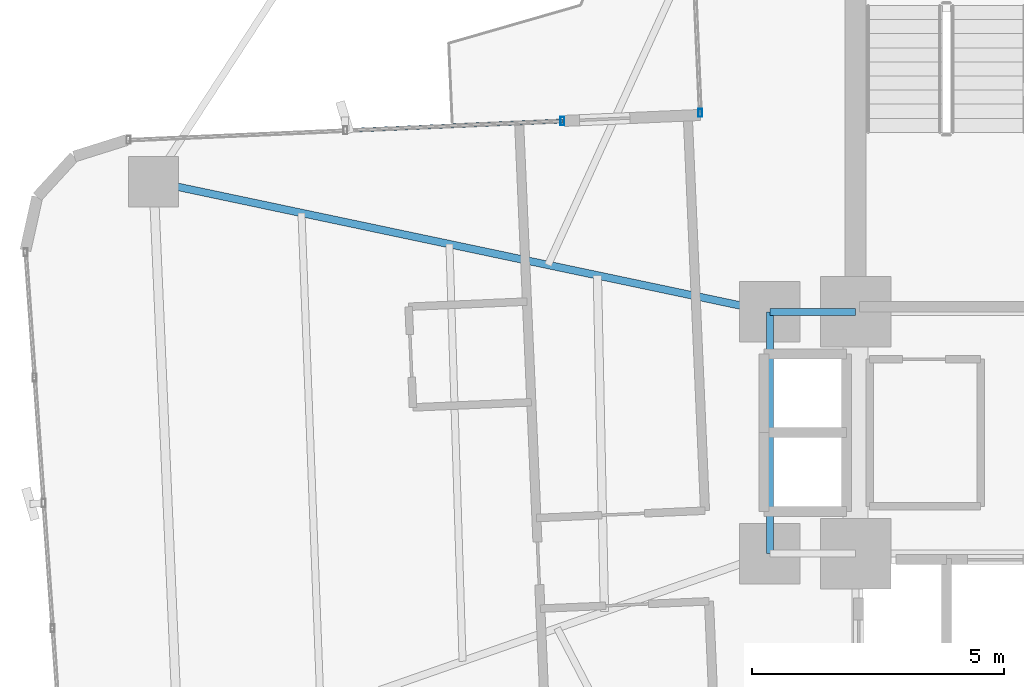
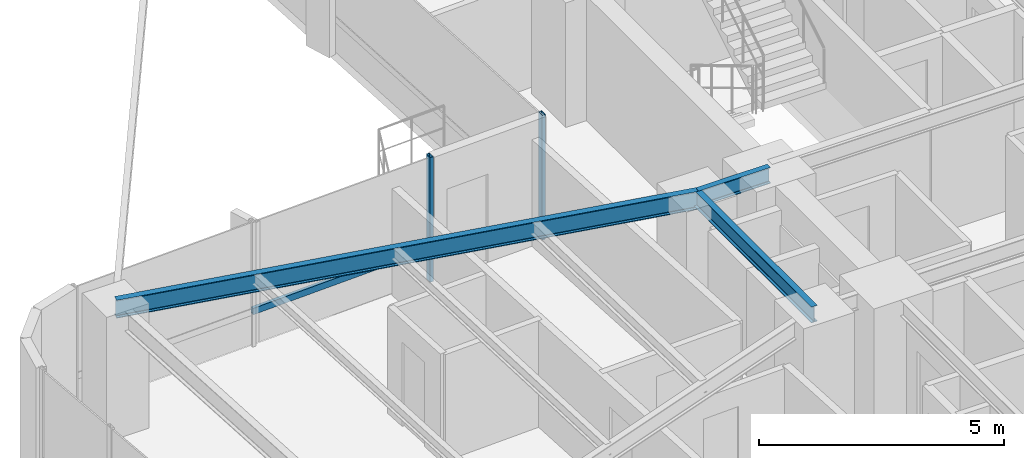
# One storey, part 10 of 26: 3 beams, 3 members, 2 elements without a shape of their own.
"""IFC4 building model written with IfcOpenShell, lengths in metres."""

from ifc_helpers import new_model, si_unit, direction, frame, origin, origin_2d, place, context, subcontext, project, spatial, hollow_rectangle, i_section, extrude, source, transform, mapped, material, material_profile, profile_set, type_object, element, aggregate, save


model = new_model("IFC4")

# Units and contexts
model_context = context("Model", 3, precision=1e-05, world=origin(), true_north=direction((0.0, 1.0)))
body_context = subcontext(model_context, "Body", "Model", "MODEL_VIEW")
ifc_project = project(units=[si_unit("LENGTHUNIT", "METRE"), si_unit("AREAUNIT", "SQUARE_METRE"), si_unit("VOLUMEUNIT", "CUBIC_METRE"), si_unit("PLANEANGLEUNIT", "RADIAN"), si_unit("MASSUNIT", "GRAM", prefix="KILO")], contexts=[model_context])

# Site, building, storey
site_placement = place(None, origin())
site = spatial("IfcSite", under=ifc_project, at=site_placement, CompositionType="ELEMENT")
building_placement = place(site_placement, origin())
building = spatial("IfcBuilding", under=site, at=building_placement, Name="Sahyath Konkavel Grand Hotel", CompositionType="ELEMENT")
storey_placement = place(building_placement, frame((0.0, 0.0, 121.5)))
storey = spatial("IfcBuildingStorey", under=building, at=storey_placement, Name="L33", CompositionType="ELEMENT", Elevation=121.5)

# Beams
ifc_material_1 = material(Name="Steel E350", Category="steel")
ifc_material_profile_1 = material_profile(ifc_material_1, i_section(OverallWidth=0.139892578125, OverallDepth=0.39990234375, WebThickness=0.0087890625, FlangeThickness=0.01611328125, FilletRadius=0.013916015625, at=origin_2d()), Name="ISMB 400")
ifc_profile_set_1 = profile_set([ifc_material_profile_1], Name="Steel E350")
beam_type_1 = type_object("IfcBeamType", Name="BM-ISMB400", PredefinedType="BEAM", material=ifc_profile_set_1)
shared_shape_1 = source(origin(), body_context, "Body", "SweptSolid", [
    extrude(i_section(OverallWidth=0.139892578125, OverallDepth=0.39990234375, WebThickness=0.0087890625, FlangeThickness=0.01611328125, FilletRadius=0.013916015625, at=origin_2d()), origin(), (0.0, 0.0, 1.0), 1.699951171875),
])
beam_1_placement = place(storey_placement, frame((-5.5, 2.39990234375, 2.909912109375), z_axis=(1.0, 0.0, 0.0), x_axis=(0.0, 1.0, 0.0)))
element("IfcBeam", 1, at=beam_1_placement, inside=storey, type_object=beam_type_1, Name="str:bm:L33:HB-NW", PredefinedType="BEAM", context=body_context, shape_type="MappedRepresentation", body=[
    mapped(shared_shape_1, transform((0.0, 0.0, 0.0), scale=1.0)),
])
shared_shape_2 = source(origin(), body_context, "Body", "SweptSolid", [
    extrude(i_section(OverallWidth=0.139892578125, OverallDepth=0.39990234375, WebThickness=0.0087890625, FlangeThickness=0.01611328125, FilletRadius=0.013916015625, at=origin_2d()), origin(), (0.0, 0.0, 1.0), 4.7998046875),
])
beam_2_placement = place(storey_placement, frame((-5.5, -2.39990234375, 2.909912109375), z_axis=(0.0, 1.0, 0.0), x_axis=(-1.0, 0.0, 0.0)))
element("IfcBeam", 2, at=beam_2_placement, inside=storey, type_object=beam_type_1, Name="str:bm:L33:HB-W", PredefinedType="BEAM", context=body_context, shape_type="MappedRepresentation", body=[
    mapped(shared_shape_2, transform((0.0, 0.0, 0.0), scale=1.0)),
])
ifc_material_profile_2 = material_profile(ifc_material_1, i_section(OverallWidth=0.14990234375, OverallDepth=0.449951171875, WebThickness=0.009521484375, FlangeThickness=0.017333984375, FilletRadius=0.014892578125, at=origin_2d()), Name="ISMB 450")
ifc_profile_set_2 = profile_set([ifc_material_profile_2], Name="Steel E350")
beam_type_2 = type_object("IfcBeamType", Name="BM-ISMB450", PredefinedType="BEAM", material=ifc_profile_set_2)
shared_shape_3 = source(origin(), body_context, "Body", "SweptSolid", [
    extrude(i_section(OverallWidth=0.14990234375, OverallDepth=0.449951171875, WebThickness=0.009521484375, FlangeThickness=0.017333984375, FilletRadius=0.014892578125, at=origin_2d()), origin(), (0.0, 0.0, 1.0), 12.50341796875),
])
beam_3_placement = place(storey_placement, frame((-5.5, 2.39990234375, 2.885009765625), z_axis=(-0.978457911392, 0.206446398937, 0.0), x_axis=(-0.206446398937, -0.978457911392, 0.0)))
element("IfcBeam", 3, at=beam_3_placement, inside=storey, type_object=beam_type_2, Name="L33 Cruciform Radial Girder WA", PredefinedType="BEAM", context=body_context, shape_type="MappedRepresentation", body=[
    mapped(shared_shape_3, transform((0.0, 0.0, 0.0), scale=1.0)),
])

# Curtain wall, member
ifc_material_2 = material(Name="Anodised Bronze Aluminium & Low-E Glazing", Category="aluminium")
curtain_wall_type = type_object("IfcCurtainWallType", Name="CW-ZONE2", PredefinedType="NOTDEFINED", material=ifc_material_2)
curtain_wall_1_placement = place(storey_placement, origin())
curtain_wall_1 = element("IfcCurtainWall", 4, at=curtain_wall_1_placement, inside=storey, type_object=curtain_wall_type, Name="L33 Unitised Curtain Wall F15", PredefinedType="NOTDEFINED")
ifc_material_3 = material(Name="Anodised Bronze Aluminium", Category="aluminium")
ifc_material_profile_3 = material_profile(ifc_material_3, hollow_rectangle(XDim=0.080078125, YDim=0.159912109375, WallThickness=0.006103515625, at=origin_2d()), Name="RHS 160x80x6")
ifc_profile_set_3 = profile_set([ifc_material_profile_3], Name="Anodised Bronze Aluminium")
member_type_1 = type_object("IfcMemberType", Name="CW-MUL-160", PredefinedType="MULLION", material=ifc_profile_set_3)
shared_shape_4 = source(origin(), body_context, "Body", "SweptSolid", [
    extrude(hollow_rectangle(XDim=0.080078125, YDim=0.159912109375, WallThickness=0.006103515625, at=origin_2d()), origin(), (0.0, 0.0, 1.0), 3.110107421875),
])
member_1_placement = place(storey_placement, frame((-6.88330078125, 6.345703125, 0.0), z_axis=(0.0, 0.0, 1.0), x_axis=(1.0, 0.0, 0.0)))
member_1 = element("IfcMember", 5, at=member_1_placement, type_object=member_type_1, Name="L33 Curtain Wall Mullion F15-2", PredefinedType="MULLION", context=body_context, shape_type="MappedRepresentation", body=[
    mapped(shared_shape_4, transform((0.0, 0.0, 0.0), scale=1.0)),
])
aggregate(curtain_wall_1, [member_1])

# Curtain wall, members
curtain_wall_2_placement = place(storey_placement, origin())
curtain_wall_2 = element("IfcCurtainWall", 6, at=curtain_wall_2_placement, inside=storey, type_object=curtain_wall_type, Name="L33 Unitised Curtain Wall F16", PredefinedType="NOTDEFINED")
member_2_placement = place(storey_placement, frame((-9.618896484375, 6.186279296875, 0.0), z_axis=(0.0, 0.0, 1.0), x_axis=(1.0, 0.0, 0.0)))
member_2 = element("IfcMember", 7, at=member_2_placement, type_object=member_type_1, Name="L33 Curtain Wall Mullion F16-0", PredefinedType="MULLION", context=body_context, shape_type="MappedRepresentation", body=[
    mapped(shared_shape_4, transform((0.0, 0.0, 0.0), scale=1.0)),
])
ifc_material_profile_4 = material_profile(ifc_material_3, hollow_rectangle(XDim=0.080078125, YDim=0.159912109375, WallThickness=0.006103515625, at=origin_2d()), Name="RHS 160x80x6")
ifc_profile_set_4 = profile_set([ifc_material_profile_4], Name="Anodised Bronze Aluminium")
member_type_2 = type_object("IfcMemberType", Name="CW-TRN-160", PredefinedType="USERDEFINED", material=ifc_profile_set_4)
shared_shape_5 = source(origin(), body_context, "Body", "SweptSolid", [
    extrude(hollow_rectangle(XDim=0.080078125, YDim=0.159912109375, WallThickness=0.006103515625, at=origin_2d()), origin(), (0.0, 0.0, 1.0), 4.31005859375),
])
member_3_placement = place(storey_placement, frame((-9.618896484375, 6.186279296875, 0.85009765625), z_axis=(-0.999048340188, -0.043616670746, 0.0), x_axis=(0.043616670746, -0.999048340188, 0.0)))
member_3 = element("IfcMember", 8, at=member_3_placement, type_object=member_type_2, Name="L33 Curtain Wall Transom F16-0-spandrel", ObjectType="TRANSOM", PredefinedType="USERDEFINED", context=body_context, shape_type="MappedRepresentation", body=[
    mapped(shared_shape_5, transform((0.0, 0.0, 0.0), scale=1.0)),
])
aggregate(curtain_wall_2, [member_2, member_3])

save(model, "model.ifc")
